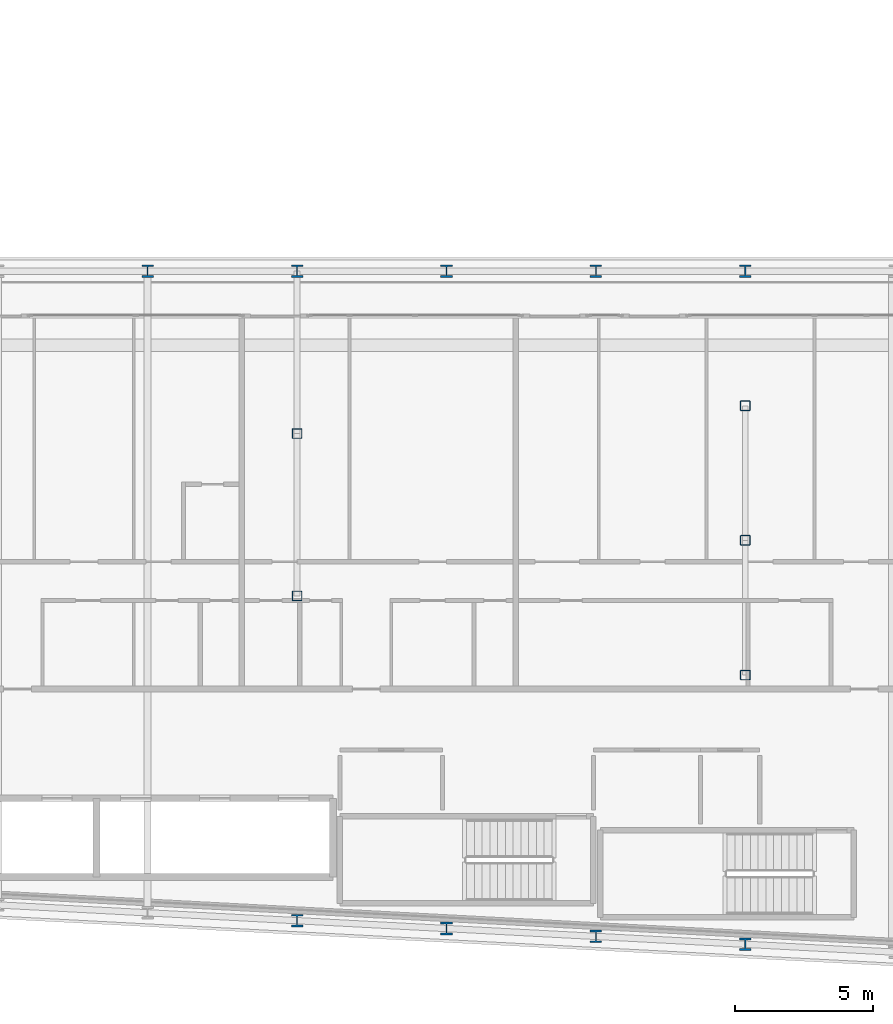
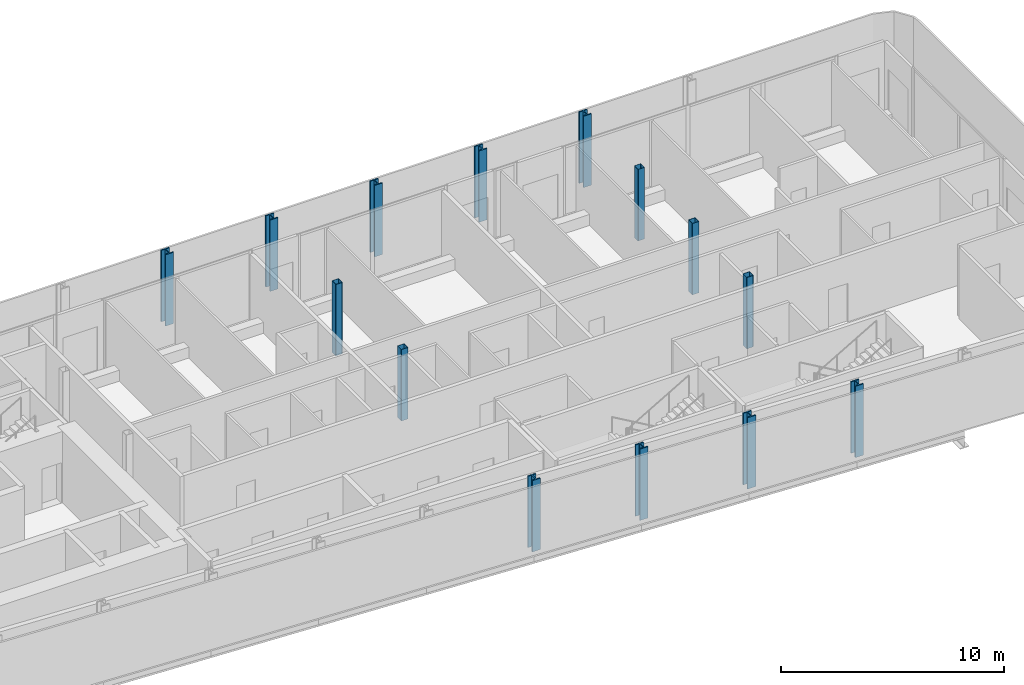
# One storey, part 2 of 27: 14 columns.
"""IFC4 building model written with IfcOpenShell, lengths in metres."""

from ifc_helpers import new_model, si_unit, direction, frame, origin, origin_2d, place, context, subcontext, project, spatial, hollow_rectangle, i_section, extrude, material, material_profile, profile_set, type_object, element, save


model = new_model("IFC4")

# Units and contexts
model_context = context("Model", 3, precision=1e-05, world=origin(), true_north=direction((0.0, 1.0)))
body_context = subcontext(model_context, "Body", "Model", "MODEL_VIEW")
ifc_project = project(units=[si_unit("LENGTHUNIT", "METRE"), si_unit("AREAUNIT", "SQUARE_METRE"), si_unit("VOLUMEUNIT", "CUBIC_METRE"), si_unit("PLANEANGLEUNIT", "RADIAN"), si_unit("MASSUNIT", "GRAM", prefix="KILO")], contexts=[model_context])

# Site, building, storey
site_placement = place(None, origin())
site = spatial("IfcSite", under=ifc_project, at=site_placement, CompositionType="ELEMENT")
building_placement = place(site_placement, origin())
building = spatial("IfcBuilding", under=site, at=building_placement, Name="Kheshtan School and Residences Tower", CompositionType="ELEMENT")
storey_placement = place(building_placement, frame((0.0, 0.0, 98.0)))
storey = spatial("IfcBuildingStorey", under=building, at=storey_placement, Name="L22", CompositionType="ELEMENT", Elevation=98.0)

# Columns
ifc_material_1 = material(Name="Steel ASTM A992 Grade 50", Category="steel")
ifc_material_profile_1 = material_profile(ifc_material_1, i_section(OverallWidth=0.41796875, OverallDepth=0.455078125, WebThickness=0.042236328125, FlangeThickness=0.067626953125, FilletRadius=0.013671875, at=origin_2d()), Name="W360x551")
ifc_profile_set_1 = profile_set([ifc_material_profile_1], Name="Steel ASTM A992 Grade 50")
column_type_1 = type_object("IfcColumnType", Name="Column C2 W360x551 ASTM A992 Grade 50", PredefinedType="COLUMN", material=ifc_profile_set_1)
for number, where, z_axis, x_axis, name in (
    (1, (85.39990234375, 21.27392578125, 0.0), (0.0, 0.0, 1.0), (1.0, 0.0, 0.0), "Column C008"),
    (2, (80.0, 21.55810546875, 0.0), (0.0, 0.0, 1.0), (1.0, 0.0, 0.0), "Column C012"),
    (3, (74.60009765625, 21.843017578125, 0.0), (0.0, 0.0, 1.0), (1.0, 0.0, 0.0), "Column C013"),
    (4, (69.199951171875, 22.126953125, 0.0), (0.0, 0.0, 1.0), (1.0, 0.0, 0.0), "Column C014"),
    (5, (63.800048828125, 45.60009765625, 0.0), (0.0, 0.0, 1.0), (1.0, 0.0, 0.0), "Column C063"),
    (6, (69.199951171875, 45.60009765625, 0.0), (0.0, 0.0, 1.0), (1.0, 0.0, 0.0), "Column C064"),
    (7, (74.60009765625, 45.60009765625, 0.0), (0.0, 0.0, 1.0), (1.0, 0.0, 0.0), "Column C065"),
    (8, (80.0, 45.60009765625, 0.0), (0.0, 0.0, 1.0), (1.0, 0.0, 0.0), "Column C066"),
    (9, (85.39990234375, 45.60009765625, 0.0), (0.0, 0.0, 1.0), (1.0, 0.0, 0.0), "Column C067"),
):
    element("IfcColumn", number, at=place(storey_placement, frame(where, z_axis=z_axis, x_axis=x_axis)), inside=storey, type_object=column_type_1, Name=name, PredefinedType="COLUMN", context=body_context, shape_type="SweptSolid", body=[
        extrude(i_section(OverallWidth=0.41796875, OverallDepth=0.455078125, WebThickness=0.042236328125, FlangeThickness=0.067626953125, FilletRadius=0.013671875, at=origin_2d()), origin(), (0.0, 0.0, 1.0), 3.89990234375),
    ])
ifc_material_2 = material(Name="Steel ASTM A500 Grade C", Category="steel")
ifc_material_profile_2 = material_profile(ifc_material_2, hollow_rectangle(XDim=0.35595703125, YDim=0.35595703125, WallThickness=0.015869140625, InnerFilletRadius=0.015869140625, OuterFilletRadius=0.03173828125, at=origin_2d()), Name="HSS 356x356x15.9")
ifc_profile_set_2 = profile_set([ifc_material_profile_2], Name="Steel ASTM A500 Grade C")
column_type_2 = type_object("IfcColumnType", Name="Column IC1 HSS 356x356x15.9 ASTM A500 Grade C", PredefinedType="COLUMN", material=ifc_profile_set_2)
for number, where, z_axis, x_axis, name in (
    (10, (85.39990234375, 31.0048828125, 0.0), (0.0, 0.0, 1.0), (1.0, 0.0, 0.0), "Column C049"),
    (11, (69.199951171875, 33.863037109375, 0.0), (0.0, 0.0, 1.0), (1.0, 0.0, 0.0), "Column C050"),
    (12, (85.39990234375, 35.8701171875, 0.0), (0.0, 0.0, 1.0), (1.0, 0.0, 0.0), "Column C053"),
    (13, (69.199951171875, 39.73193359375, 0.0), (0.0, 0.0, 1.0), (1.0, 0.0, 0.0), "Column C054"),
    (14, (85.39990234375, 40.735107421875, 0.0), (0.0, 0.0, 1.0), (1.0, 0.0, 0.0), "Column C057"),
):
    element("IfcColumn", number, at=place(storey_placement, frame(where, z_axis=z_axis, x_axis=x_axis)), inside=storey, type_object=column_type_2, Name=name, PredefinedType="COLUMN", context=body_context, shape_type="SweptSolid", body=[
        extrude(hollow_rectangle(XDim=0.35595703125, YDim=0.35595703125, WallThickness=0.015869140625, InnerFilletRadius=0.015869140625, OuterFilletRadius=0.03173828125, at=origin_2d()), origin(), (0.0, 0.0, 1.0), 3.89990234375),
    ])

save(model, "model.ifc")
